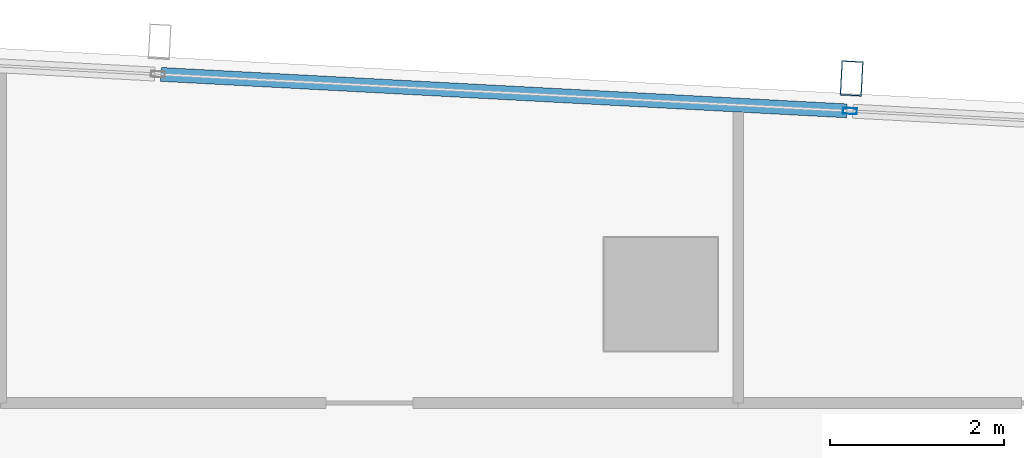
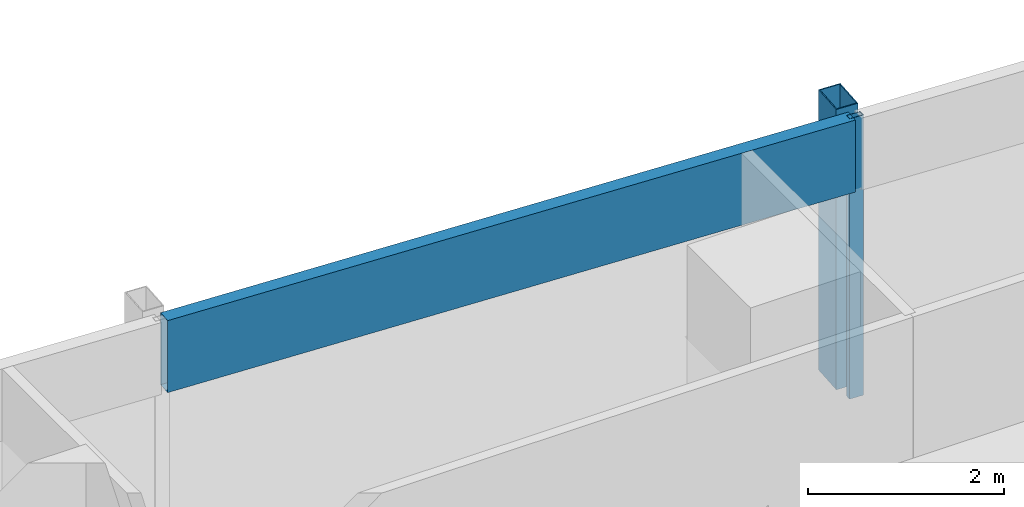
# One storey, part 16 of 28: 3 members, 1 element without a shape of its own.
"""IFC4 building model written with IfcOpenShell, lengths in metres."""

from ifc_helpers import new_model, si_unit, direction, frame, origin, origin_2d, place, context, subcontext, project, spatial, hollow_rectangle, extrude, material, material_profile, profile_set, type_object, element, aggregate, save


model = new_model("IFC4")

# Units and contexts
model_context = context("Model", 3, precision=1e-05, world=origin(), true_north=direction((0.0, 1.0)))
body_context = subcontext(model_context, "Body", "Model", "MODEL_VIEW")
ifc_project = project(units=[si_unit("LENGTHUNIT", "METRE"), si_unit("AREAUNIT", "SQUARE_METRE"), si_unit("VOLUMEUNIT", "CUBIC_METRE"), si_unit("PLANEANGLEUNIT", "RADIAN"), si_unit("MASSUNIT", "GRAM", prefix="KILO")], contexts=[model_context])

# Site, building, storey
site_placement = place(None, origin())
site = spatial("IfcSite", under=ifc_project, at=site_placement, CompositionType="ELEMENT")
building_placement = place(site_placement, origin())
building = spatial("IfcBuilding", under=site, at=building_placement, Name="Rekha Terrace Tower", CompositionType="ELEMENT")
storey_placement = place(building_placement, frame((0.0, 0.0, 253.85009765625)))
storey = spatial("IfcBuildingStorey", under=building, at=storey_placement, Name="L64", CompositionType="ELEMENT", Elevation=253.85009765625)

# Curtain wall, members
ifc_material_1 = material(Name="Aluminium framing", Category="aluminium")
curtain_wall_type = type_object("IfcCurtainWallType", Name="CW3 north unitised glazing", PredefinedType="USERDEFINED", material=ifc_material_1)
curtain_wall_placement = place(storey_placement, origin())
curtain_wall = element("IfcCurtainWall", 1, at=curtain_wall_placement, inside=storey, type_object=curtain_wall_type, Name="CW3 unitised curtain wall", ObjectType="UNITISED CURTAIN WALL", PredefinedType="USERDEFINED")
ifc_material_2 = material(Name="Steel S355 with fluorocarbon finish", Category="steel")
ifc_material_profile_1 = material_profile(ifc_material_2, hollow_rectangle(XDim=0.25, YDim=0.39990234375, WallThickness=0.012451171875, at=origin_2d()), Name="RHS400x250x12.5")
ifc_profile_set_1 = profile_set([ifc_material_profile_1], Name="Steel S355 with fluorocarbon finish")
member_type_1 = type_object("IfcMemberType", Name="BL1 facade blade RHS 400 x 250", PredefinedType="USERDEFINED", material=ifc_profile_set_1)
member_1_placement = place(storey_placement, frame((44.192626953125, 52.87890625, 0.0), z_axis=(0.0, 0.0, 1.0), x_axis=(-0.998590068481, 0.053083661621, 0.0)))
member_1 = element("IfcMember", 2, at=member_1_placement, type_object=member_type_1, Name="Facade blade", ObjectType="FACADE BLADE", PredefinedType="USERDEFINED", context=body_context, shape_type="SweptSolid", body=[
    extrude(hollow_rectangle(XDim=0.25, YDim=0.39990234375, WallThickness=0.012451171875, at=origin_2d()), origin(), (0.0, 0.0, 1.0), 3.5),
])
ifc_material_3 = material(Name="Aluminium mullion section", Category="aluminium")
ifc_material_profile_2 = material_profile(ifc_material_3, hollow_rectangle(XDim=0.070068359375, YDim=0.159912109375, WallThickness=0.00390625, at=origin_2d()), Name="AL RHS 70x160")
ifc_profile_set_2 = profile_set([ifc_material_profile_2], Name="Aluminium mullion section")
member_type_2 = type_object("IfcMemberType", Name="CW3 mullion RHS 70 x 160", PredefinedType="MULLION", material=ifc_profile_set_2)
member_2_placement = place(storey_placement, frame((44.1728515625, 52.50439453125, 0.0), z_axis=(0.0, 0.0, 1.0), x_axis=(-0.053083275524, -0.998590089005, 0.0)))
member_2 = element("IfcMember", 3, at=member_2_placement, type_object=member_type_2, Name="CW3 mullion 3", PredefinedType="MULLION", context=body_context, shape_type="SweptSolid", body=[
    extrude(hollow_rectangle(XDim=0.070068359375, YDim=0.159912109375, WallThickness=0.00390625, at=origin_2d()), origin(), (0.0, 0.0, 1.0), 3.5),
])
ifc_material_4 = material(Name="Insulated aluminium spandrel box", Category="aluminium")
ifc_material_profile_3 = material_profile(ifc_material_4, hollow_rectangle(XDim=0.159912109375, YDim=0.89990234375, WallThickness=0.0029296875, at=origin_2d()), Name="AL SPANDREL BOX 160x900")
ifc_profile_set_3 = profile_set([ifc_material_profile_3], Name="Insulated aluminium spandrel box")
member_type_3 = type_object("IfcMemberType", Name="CW3 spandrel transom 160 x 900", PredefinedType="USERDEFINED", material=ifc_profile_set_3)
member_3_placement = place(storey_placement, frame((44.137939453125, 52.506103515625, 3.0498046875), z_axis=(-0.998589828491, 0.053088176024, 0.0), x_axis=(-0.053088176024, -0.998589828491, 0.0)))
member_3 = element("IfcMember", 4, at=member_3_placement, type_object=member_type_3, Name="CW3 spandrel transom 3", ObjectType="TRANSOM", PredefinedType="USERDEFINED", context=body_context, shape_type="SweptSolid", body=[
    extrude(hollow_rectangle(XDim=0.159912109375, YDim=0.89990234375, WallThickness=0.0029296875, at=origin_2d()), origin(), (0.0, 0.0, 1.0), 7.8916015625),
])
aggregate(curtain_wall, [member_2, member_3, member_1])

save(model, "model.ifc")
